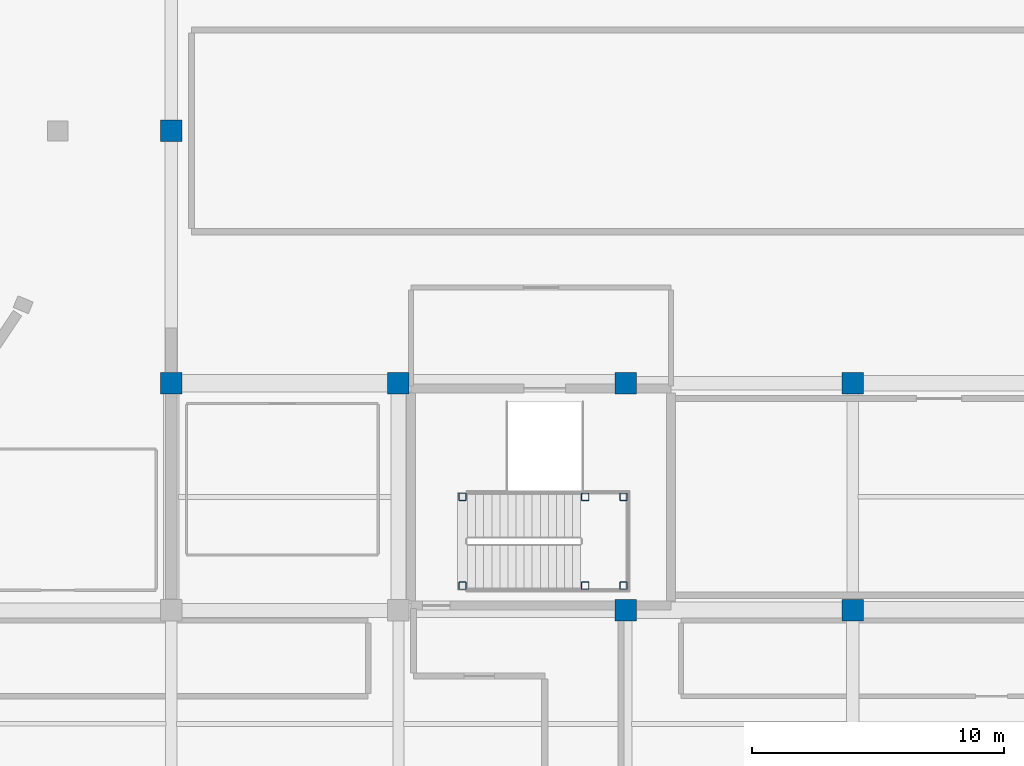
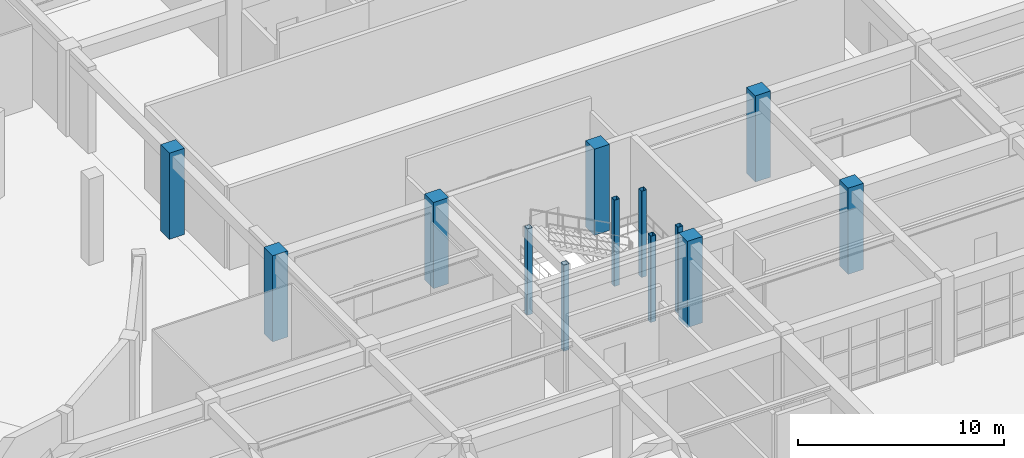
# One storey, part 7 of 128: 13 columns.
"""IFC4 building model written with IfcOpenShell, lengths in metres."""

import ifcopenshell
import ifcopenshell.guid

model = None  # the IFC model being written
_history = None  # IfcOwnerHistory: only IFC2X3 demands one
_inside = {}  # id of a spatial element -> (the spatial element, [elements in it])
_under = {}  # id of a project, library or spatial element -> (it, [spatial elements below it])
_declared = {}  # id of a project -> (the project, [libraries it declares])
_typed = {}  # id of a type object -> (the type object, [elements of that type])
_made_of = {}  # id of a material, layer set ... -> (it, [elements and type objects made of it])


def new_model(schema):
    """Start an empty IFC model of exactly this schema.

    Asked for "IFC4X3", IfcOpenShell would pick the latest addendum, in which some entities
    have other attributes; the version numbers below select the first issue.
    IFC2X3 requires an IfcOwnerHistory on every rooted entity: one is made here for all.
    """
    global model, _history
    if schema == "IFC4X3":
        model = ifcopenshell.file(schema_version=(4, 3, 0, 0))
    else:
        model = ifcopenshell.file(schema=schema)
    _inside.clear()
    _under.clear()
    _declared.clear()
    _typed.clear()
    _made_of.clear()
    _history = None
    if model.schema == "IFC2X3":
        org = make("IfcOrganization", Name="unknown")
        user = make(
            "IfcPersonAndOrganization",
            ThePerson=make("IfcPerson", FamilyName="unknown"),
            TheOrganization=org,
        )
        app = make(
            "IfcApplication",
            ApplicationDeveloper=org,
            Version="unknown",
            ApplicationFullName="unknown",
            ApplicationIdentifier="unknown",
        )
        _history = make(
            "IfcOwnerHistory",
            OwningUser=user,
            OwningApplication=app,
            ChangeAction="ADDED",
            CreationDate=0,
        )
    return model


def make(cls, **values):
    """One entity of the class cls with the attributes given. An attribute that is None is left unset."""
    return model.create_entity(
        cls, **{name: value for name, value in values.items() if value is not None}
    )


def rooted(cls, **values):
    """An entity with a GlobalId (a new one), such as an element, a storey or a relation."""
    return make(cls, GlobalId=ifcopenshell.guid.new(), OwnerHistory=_history, **values)


def si_unit(unit_type, name, prefix=None):
    """IfcSIUnit, for example si_unit("LENGTHUNIT", "METRE", prefix="MILLI")."""
    return make("IfcSIUnit", UnitType=unit_type, Prefix=prefix, Name=name)


def assignment(units):
    """IfcUnitAssignment: the units of a project."""
    return None if units is None else make("IfcUnitAssignment", Units=units)


def point(xyz):
    """IfcCartesianPoint."""
    return None if xyz is None else make("IfcCartesianPoint", Coordinates=xyz)


def direction(xyz):
    """IfcDirection."""
    return None if xyz is None else make("IfcDirection", DirectionRatios=xyz)


def frame(location, z_axis=None, x_axis=None):
    """IfcAxis2Placement3D, a coordinate frame: its origin and axes. An axis left out is left unset."""
    return make(
        "IfcAxis2Placement3D",
        Location=point(location),
        Axis=direction(z_axis),
        RefDirection=direction(x_axis),
    )


def frame_2d(location, x_axis=None):
    """IfcAxis2Placement2D, a coordinate frame in the plane: its origin and x axis."""
    return make(
        "IfcAxis2Placement2D", Location=point(location), RefDirection=direction(x_axis)
    )


def origin():
    """The frame at (0, 0, 0) with its axes left unset."""
    return frame((0.0, 0.0, 0.0))


def origin_2d():
    """The frame at (0, 0) in the plane with its x axis left unset."""
    return frame_2d((0.0, 0.0))


def place(relative_to, where):
    """IfcLocalPlacement: puts the frame where relative to a parent placement (None: the world)."""
    return make(
        "IfcLocalPlacement", PlacementRelTo=relative_to, RelativePlacement=where
    )


def context(
    kind, dimensions, precision=None, world=None, true_north=None, identifier=None
):
    """IfcGeometricRepresentationContext, for example the 3D "Model" context."""
    return make(
        "IfcGeometricRepresentationContext",
        ContextIdentifier=identifier,
        ContextType=kind,
        CoordinateSpaceDimension=dimensions,
        Precision=precision,
        WorldCoordinateSystem=world,
        TrueNorth=true_north,
    )


def subcontext(parent, identifier, kind, view, scale=None):
    """IfcGeometricRepresentationSubContext, for example "Body" below "Model"."""
    return make(
        "IfcGeometricRepresentationSubContext",
        ContextIdentifier=identifier,
        ContextType=kind,
        ParentContext=parent,
        TargetScale=scale,
        TargetView=view,
    )


def project(units=None, contexts=None):
    """IfcProject with its units and contexts."""
    return rooted(
        "IfcProject",
        Name="project",
        RepresentationContexts=contexts,
        UnitsInContext=assignment(units),
    )


def spatial(cls, under=None, at=None, **own):
    """A site, building, storey or space (cls), placed at a placement, below another one or the project."""
    s = rooted(cls, ObjectPlacement=at, **own)
    if under is not None:
        _under.setdefault(under.id(), (under, []))[1].append(s)
    return s


def profile(cls, at=None, kind="AREA", **sizes):
    """A parametric profile (cls). Its sizes go by their IFC names, for example OverallWidth=200.0."""
    return make(cls, ProfileType=kind, Position=at, **sizes)


def rectangle(**sizes):
    """IfcRectangleProfileDef."""
    return profile("IfcRectangleProfileDef", **sizes)


def hollow_rectangle(**sizes):
    """IfcRectangleHollowProfileDef."""
    return profile("IfcRectangleHollowProfileDef", **sizes)


def extrude(swept, where, along, depth):
    """IfcExtrudedAreaSolid: the profile swept, set in the frame where, extruded along a direction by depth."""
    return make(
        "IfcExtrudedAreaSolid",
        SweptArea=swept,
        Position=where,
        ExtrudedDirection=direction(along),
        Depth=depth,
    )


def shape(context_of_items, identifier, shape_type, items):
    """IfcShapeRepresentation: the items that make up one representation, for example the "Body"."""
    return make(
        "IfcShapeRepresentation",
        ContextOfItems=context_of_items,
        RepresentationIdentifier=identifier,
        RepresentationType=shape_type,
        Items=items,
    )


def material(Name=None, Category=None):
    """IfcMaterial."""
    return make("IfcMaterial", Name=Name, Category=Category)


def material_profile(
    of_material, cross_section, Name=None, Category=None, Priority=None
):
    """IfcMaterialProfile: a cross section and its material."""
    return make(
        "IfcMaterialProfile",
        Name=Name,
        Material=of_material,
        Profile=cross_section,
        Priority=Priority,
        Category=Category,
    )


def profile_set(profiles, Name=None, composite=None):
    """IfcMaterialProfileSet."""
    return make(
        "IfcMaterialProfileSet",
        Name=Name,
        MaterialProfiles=profiles,
        CompositeProfile=composite,
    )


def made_of(thing, what):
    """Note that an element or type object is made of a material, layer set ...; save() writes the relation."""
    if what is not None:
        _made_of.setdefault(what.id(), (what, []))[1].append(thing)
    return thing


def type_object(cls, material=None, **own):
    """A type object (cls), such as IfcWallType, which elements share."""
    return made_of(rooted(cls, **own), material)


def element(
    cls,
    number,
    at=None,
    inside=None,
    cuts=None,
    type_object=None,
    material=None,
    context=None,
    identifier="Body",
    shape_type=None,
    held_by="IfcProductDefinitionShape",
    body=None,
    shapes=None,
    **own,
):
    """One element of the class cls, such as IfcWall. Its Tag is "e" and its number.

    at: its placement. inside: the storey or other place that contains it. cuts: it is an
    opening in that element (IfcRelVoidsElement). A single representation is given by context,
    identifier, shape_type and body (its items); several are given by shapes. held_by: the class
    of the entity that holds the representations. save() writes the other relations.
    """
    e = rooted(cls, Tag="e%d" % number, ObjectPlacement=at, **own)
    if body is not None:
        shapes = [shape(context, identifier, shape_type, body)]
    if shapes is not None:
        e.Representation = make(held_by, Representations=shapes)
    if inside is not None:
        _inside.setdefault(inside.id(), (inside, []))[1].append(e)
    if cuts is not None:
        rooted(
            "IfcRelVoidsElement", RelatingBuildingElement=cuts, RelatedOpeningElement=e
        )
    if type_object is not None:
        _typed.setdefault(type_object.id(), (type_object, []))[1].append(e)
    return made_of(e, material)


def aggregate(whole, parts):
    """IfcRelAggregates: a whole, such as a stair, and the parts it consists of."""
    return rooted("IfcRelAggregates", RelatingObject=whole, RelatedObjects=parts)


def save(model, path):
    """Write the relations noted so far, then the file.

    IfcRelAggregates (storeys below a building ...), IfcRelContainedInSpatialStructure (elements
    in a storey), IfcRelDefinesByType, IfcRelAssociatesMaterial and IfcRelDeclares: one each for
    every whole, place, type object, material and project.
    """
    for whole, parts in _under.values():
        aggregate(whole, parts)
    for where, things in _inside.values():
        rooted(
            "IfcRelContainedInSpatialStructure",
            RelatedElements=things,
            RelatingStructure=where,
        )
    for kind, things in _typed.values():
        rooted("IfcRelDefinesByType", RelatedObjects=things, RelatingType=kind)
    for what, things in _made_of.values():
        rooted("IfcRelAssociatesMaterial", RelatedObjects=things, RelatingMaterial=what)
    for by, libraries in _declared.values():
        rooted("IfcRelDeclares", RelatingContext=by, RelatedDefinitions=libraries)
    model.write(path)


model = new_model("IFC4")

# Units and contexts
model_context = context("Model", 3, precision=1e-05, world=origin(), true_north=direction((0.0, 1.0)))
body_context = subcontext(model_context, "Body", "Model", "MODEL_VIEW")
ifc_project = project(units=[si_unit("LENGTHUNIT", "METRE"), si_unit("AREAUNIT", "SQUARE_METRE"), si_unit("VOLUMEUNIT", "CUBIC_METRE"), si_unit("PLANEANGLEUNIT", "RADIAN"), si_unit("MASSUNIT", "GRAM", prefix="KILO")], contexts=[model_context])

# Site, building, storey
site_placement = place(None, origin())
site = spatial("IfcSite", under=ifc_project, at=site_placement, CompositionType="ELEMENT")
building_placement = place(site_placement, origin())
building = spatial("IfcBuilding", under=site, at=building_placement, Name="Miravela Opera House", CompositionType="ELEMENT")
storey_placement = place(building_placement, origin())
storey = spatial("IfcBuildingStorey", under=building, at=storey_placement, Name="L00", CompositionType="ELEMENT", Elevation=0.0)

# Columns
ifc_material_1 = material(Name="Hollow structural steel ASTM A500 Gr. C", Category="steel")
ifc_material_profile_1 = material_profile(ifc_material_1, hollow_rectangle(XDim=0.300048828125, YDim=0.300048828125, WallThickness=0.01611328125, InnerFilletRadius=0.01611328125, OuterFilletRadius=0.031982421875, at=origin_2d()), Name="HSS300X300X16")
ifc_profile_set_1 = profile_set([ifc_material_profile_1])
column_type_1 = type_object("IfcColumnType", Name="STR-COL-HSS300", PredefinedType="COLUMN", material=ifc_profile_set_1)
for number, where, z_axis, x_axis, name in (
    (1, (110.5400390625, 37.97998046875, 0.0), (0.0, 0.0, 1.0), (1.0, 0.0, 0.0), "Stair K4 Landing Support Column 1 (L00)"),
    (2, (110.5400390625, 41.5, 0.0), (0.0, 0.0, 1.0), (1.0, 0.0, 0.0), "Stair K4 Landing Support Column 2 (L00)"),
    (3, (115.39990234375, 37.97998046875, 0.0), (0.0, 0.0, 1.0), (1.0, 0.0, 0.0), "Stair K4 Landing Support Column 3 (L00)"),
    (4, (115.39990234375, 41.5, 0.0), (0.0, 0.0, 1.0), (1.0, 0.0, 0.0), "Stair K4 Landing Support Column 4 (L00)"),
    (5, (116.919921875, 37.97998046875, 0.0), (0.0, 0.0, 1.0), (1.0, 0.0, 0.0), "Stair K4 Landing Support Column 5 (L00)"),
    (6, (116.919921875, 41.5, 0.0), (0.0, 0.0, 1.0), (1.0, 0.0, 0.0), "Stair K4 Landing Support Column 6 (L00)"),
):
    element("IfcColumn", number, at=place(storey_placement, frame(where, z_axis=z_axis, x_axis=x_axis)), inside=storey, type_object=column_type_1, Name=name, PredefinedType="COLUMN", context=body_context, shape_type="SweptSolid", body=[
        extrude(hollow_rectangle(XDim=0.300048828125, YDim=0.300048828125, WallThickness=0.01611328125, InnerFilletRadius=0.01611328125, OuterFilletRadius=0.031982421875, at=origin_2d()), origin(), (0.0, 0.0, 1.0), 5.10009765625),
    ])
ifc_material_2 = material(Name="Concrete C40/50", Category="concrete")
ifc_material_profile_2 = material_profile(ifc_material_2, rectangle(XDim=0.85009765625, YDim=0.85009765625, at=origin_2d()), Name="RC-COL-850X850")
ifc_profile_set_2 = profile_set([ifc_material_profile_2])
column_type_2 = type_object("IfcColumnType", Name="STR-COL-RC850", PredefinedType="COLUMN", material=ifc_profile_set_2)
for number, where, z_axis, x_axis, name in (
    (7, (99.0, 46.0, 0.0), (0.0, 0.0, 1.0), (1.0, 0.0, 0.0), "Column C-12F (L00)"),
    (8, (99.0, 56.0, 0.0), (0.0, 0.0, 1.0), (1.0, 0.0, 0.0), "Column C-12G (L00)"),
    (9, (108.0, 46.0, 0.0), (0.0, 0.0, 1.0), (1.0, 0.0, 0.0), "Column C-13F (L00)"),
    (10, (117.0, 37.0, 0.0), (0.0, 0.0, 1.0), (1.0, 0.0, 0.0), "Column C-14E (L00)"),
    (11, (117.0, 46.0, 0.0), (0.0, 0.0, 1.0), (1.0, 0.0, 0.0), "Column C-14F (L00)"),
    (12, (126.0, 37.0, 0.0), (0.0, 0.0, 1.0), (1.0, 0.0, 0.0), "Column C-15E (L00)"),
    (13, (126.0, 46.0, 0.0), (0.0, 0.0, 1.0), (1.0, 0.0, 0.0), "Column C-15F (L00)"),
):
    element("IfcColumn", number, at=place(storey_placement, frame(where, z_axis=z_axis, x_axis=x_axis)), inside=storey, type_object=column_type_2, Name=name, PredefinedType="COLUMN", context=body_context, shape_type="SweptSolid", body=[
        extrude(rectangle(XDim=0.85009765625, YDim=0.85009765625, at=origin_2d()), origin(), (0.0, 0.0, 1.0), 5.10009765625),
    ])

save(model, "model.ifc")
